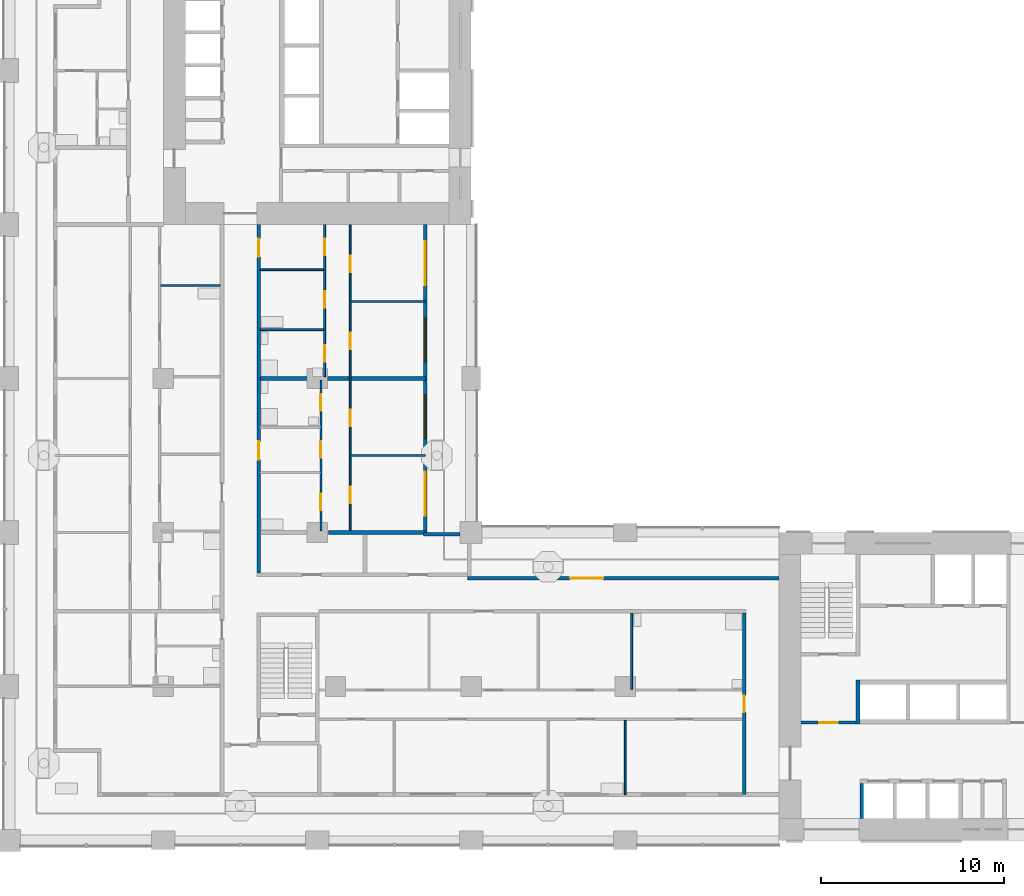
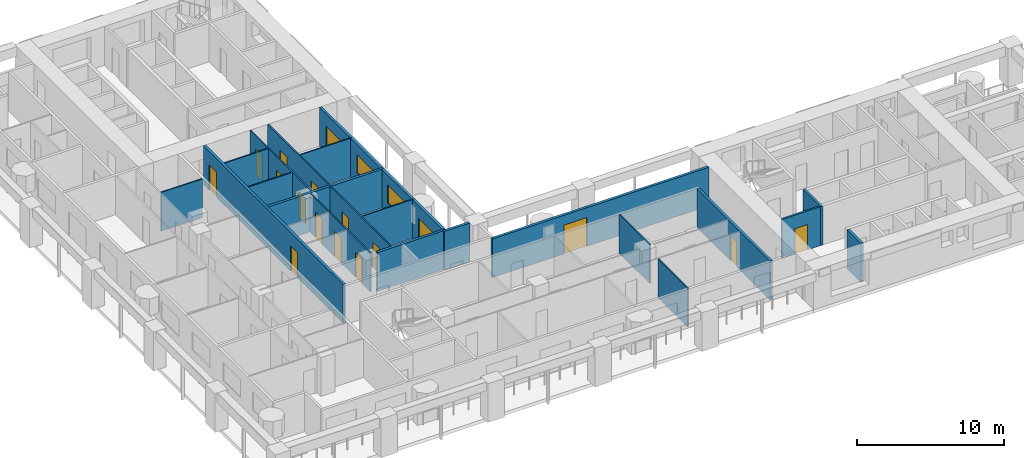
# One storey, part 4 of 18: 20 walls, 17 doors, 2 windows, 19 openings.
"""IFC4 building model written with IfcOpenShell, lengths in metres."""

from ifc_helpers import new_model, si_unit, direction, frame, frame_2d, origin, place, context, subcontext, project, spatial, rectangle, extrude, material, layer, layer_set, type_object, element, fill, save


model = new_model("IFC4")

# Units and contexts
model_context = context("Model", 3, precision=1e-05, world=origin(), true_north=direction((0.0, 1.0)))
body_context = subcontext(model_context, "Body", "Model", "MODEL_VIEW")
ifc_project = project(units=[si_unit("LENGTHUNIT", "METRE"), si_unit("AREAUNIT", "SQUARE_METRE"), si_unit("VOLUMEUNIT", "CUBIC_METRE"), si_unit("PLANEANGLEUNIT", "RADIAN"), si_unit("MASSUNIT", "GRAM", prefix="KILO")], contexts=[model_context])

# Site, building, storey
site_placement = place(None, origin())
site = spatial("IfcSite", under=ifc_project, at=site_placement, CompositionType="ELEMENT")
building_placement = place(site_placement, origin())
building = spatial("IfcBuilding", under=site, at=building_placement, Name="Vermilion Gate Residences", CompositionType="ELEMENT")
storey_placement = place(building_placement, frame((0.0, 0.0, 88.199951171875)))
storey = spatial("IfcBuildingStorey", under=building, at=storey_placement, Name="L21", CompositionType="ELEMENT", Elevation=88.199951171875)

# Wall, opening, door
ifc_material_1 = material(Name="Masonry blockwork", Category="masonry")
ifc_layer_1 = layer(ifc_material_1, 0.14990234375)
ifc_layer_set_1 = layer_set([ifc_layer_1], Name="BLOCKWORK PARTITION 150 EI 120")
wall_type_1 = type_object("IfcWallType", Name="BLOCKWORK PARTITION 150 EI 120", PredefinedType="PARTITIONING", material=ifc_layer_set_1)
wall_1_placement = place(storey_placement, frame((43.199951171875, 14.824951171875, 0.0), z_axis=(0.0, 0.0, 1.0), x_axis=(1.0, 0.0, 0.0)))
wall_1 = element("IfcWall", 1, at=wall_1_placement, inside=storey, type_object=wall_type_1, Name="Core room partition A21-VW-S", PredefinedType="PARTITIONING", context=body_context, shape_type="SweptSolid", body=[
    extrude(rectangle(XDim=3.0, YDim=0.14990234375, at=frame_2d((1.5, 0.0))), origin(), (0.0, 0.0, 1.0), 3.219970703125),
])
opening_1_placement = place(wall_1_placement, frame((1.0, 0.0, 0.0)))
opening_1 = element("IfcOpeningElement", 2, at=opening_1_placement, cuts=wall_1, Name="Opening DK21011", PredefinedType="OPENING", context=body_context, shape_type="SweptSolid", body=[
    extrude(rectangle(XDim=1.0, YDim=2.10009765625, at=frame_2d((0.5, 1.050048828125))), frame((0.0, 0.0849609375, 0.0), z_axis=(0.0, -1.0, 0.0), x_axis=(1.0, 0.0, 0.0)), (0.0, 0.0, 1.0), 0.169921875),
])
ifc_material_2 = material(Name="Steel", Category="steel")
door_type_1 = type_object("IfcDoorType", Name="FIRE DOOR FD60 1000 X 2100", OperationType="SINGLE_SWING_LEFT", PredefinedType="DOOR", material=ifc_material_2)
door_1_placement = place(opening_1_placement, frame((1.0, 0.0, 0.0), z_axis=(0.0, 0.0, 1.0), x_axis=(-1.0, 0.0, 0.0)))
door_1 = element("IfcDoor", 3, at=door_1_placement, inside=storey, type_object=door_type_1, Name="Stair vestibule door A21", OperationType="SINGLE_SWING_RIGHT", OverallHeight=2.10009765625, OverallWidth=1.0, PredefinedType="DOOR", context=body_context, shape_type="SweptSolid", body=[
    extrude(rectangle(XDim=1.0, YDim=2.10009765625, at=frame_2d((0.5, 1.050048828125))), frame((0.0, 0.02490234375, 0.0), z_axis=(0.0, -1.0, 0.0), x_axis=(1.0, 0.0, 0.0)), (0.0, 0.0, 1.0), 0.050048828125),
])
fill(opening_1, door_1)

ifc_material_3 = material(Name="Insulated steel stud wall with terracotta rainscreen", Category="masonry")
ifc_layer_2 = layer(ifc_material_3, 0.199951171875)
ifc_layer_set_2 = layer_set([ifc_layer_2], Name="EXTERNAL WALL 200 TERRACOTTA RAINSCREEN")
wall_type_2 = type_object("IfcWallType", Name="EXTERNAL WALL 200 TERRACOTTA RAINSCREEN", PredefinedType="SOLIDWALL", material=ifc_layer_set_2)
wall_2_placement = place(storey_placement, frame((42.0, 22.699951171875, 0.0), z_axis=(0.0, 0.0, 1.0), x_axis=(-1.0, 0.0, 0.0)))
wall_2 = element("IfcWall", 4, at=wall_2_placement, inside=storey, type_object=wall_type_2, Name="External wall", PredefinedType="SOLIDWALL", context=body_context, shape_type="SweptSolid", body=[
    extrude(rectangle(XDim=17.0, YDim=0.199951171875, at=frame_2d((8.5, 0.0))), origin(), (0.0, 0.0, 1.0), 3.219970703125),
])
opening_2_placement = place(wall_2_placement, frame((9.60009765625, 0.0, 0.0)))
opening_2 = element("IfcOpeningElement", 5, at=opening_2_placement, cuts=wall_2, Name="Opening DE21029", PredefinedType="OPENING", context=body_context, shape_type="SweptSolid", body=[
    extrude(rectangle(XDim=1.800048828125, YDim=2.39990234375, at=frame_2d((0.89990234375, 1.199951171875))), frame((0.0, 0.10986328125, 0.0), z_axis=(0.0, -1.0, 0.0), x_axis=(1.0, 0.0, 0.0)), (0.0, 0.0, 1.0), 0.219970703125),
])
ifc_material_4 = material(Name="Aluminium and clear glass", Category="aluminium")
door_type_2 = type_object("IfcDoorType", Name="GLAZED EXTERNAL DOOR 1800 X 2400", OperationType="DOUBLE_DOOR_SINGLE_SWING", PredefinedType="DOOR", material=ifc_material_4)
door_2_placement = place(opening_2_placement, frame((1.800048828125, 0.0, 0.0), z_axis=(0.0, 0.0, 1.0), x_axis=(-1.0, 0.0, 0.0)))
door_2 = element("IfcDoor", 6, at=door_2_placement, inside=storey, type_object=door_type_2, Name="Gallery door", OperationType="DOUBLE_DOOR_SINGLE_SWING", OverallHeight=2.39990234375, OverallWidth=1.800048828125, PredefinedType="DOOR", context=body_context, shape_type="SweptSolid", body=[
    extrude(rectangle(XDim=1.800048828125, YDim=2.39990234375, at=frame_2d((0.89990234375, 1.199951171875))), frame((0.0, 0.02490234375, 0.0), z_axis=(0.0, -1.0, 0.0), x_axis=(1.0, 0.0, 0.0)), (0.0, 0.0, 1.0), 0.050048828125),
])
fill(opening_2, door_2)

# Wall
wall_3_placement = place(storey_placement, frame((24.60009765625, 25.10009765625, 0.0), z_axis=(0.0, 0.0, 1.0), x_axis=(-1.0, 0.0, 0.0)))
element("IfcWall", 7, at=wall_3_placement, inside=storey, type_object=wall_type_2, Name="External wall", PredefinedType="SOLIDWALL", context=body_context, shape_type="SweptSolid", body=[
    extrude(rectangle(XDim=2.0, YDim=0.199951171875, at=frame_2d((1.0, 0.0))), origin(), (0.0, 0.0, 1.0), 3.219970703125),
])

# Wall, openings, doors, windows
wall_4_placement = place(storey_placement, frame((22.699951171875, 25.199951171875, 0.0), z_axis=(0.0, 0.0, 1.0), x_axis=(0.0, 1.0, 0.0)))
wall_4 = element("IfcWall", 8, at=wall_4_placement, inside=storey, type_object=wall_type_2, Name="External wall", PredefinedType="SOLIDWALL", context=body_context, shape_type="SweptSolid", body=[
    extrude(rectangle(XDim=16.800048828125, YDim=0.199951171875, at=frame_2d((8.39990234375, 0.0))), origin(), (0.0, 0.0, 1.0), 3.219970703125),
])
opening_3_placement = place(wall_4_placement, frame((0.89990234375, 0.0, 0.0)))
opening_3 = element("IfcOpeningElement", 9, at=opening_3_placement, cuts=wall_4, Name="Opening DE21024", PredefinedType="OPENING", context=body_context, shape_type="SweptSolid", body=[
    extrude(rectangle(XDim=2.39990234375, YDim=2.199951171875, at=frame_2d((1.199951171875, 1.10009765625))), frame((0.0, 0.10986328125, 0.0), z_axis=(0.0, -1.0, 0.0), x_axis=(1.0, 0.0, 0.0)), (0.0, 0.0, 1.0), 0.219970703125),
])
opening_4_placement = place(wall_4_placement, frame((5.10009765625, 0.0, 0.89990234375)))
opening_4 = element("IfcOpeningElement", 10, at=opening_4_placement, cuts=wall_4, Name="Opening WE21025", PredefinedType="OPENING", context=body_context, shape_type="SweptSolid", body=[
    extrude(rectangle(XDim=2.39990234375, YDim=1.5, at=frame_2d((1.199951171875, 0.75))), frame((0.0, 0.10986328125, 0.0), z_axis=(0.0, -1.0, 0.0), x_axis=(1.0, 0.0, 0.0)), (0.0, 0.0, 1.0), 0.219970703125),
])
opening_5_placement = place(wall_4_placement, frame((9.300048828125, 0.0, 0.89990234375)))
opening_5 = element("IfcOpeningElement", 11, at=opening_5_placement, cuts=wall_4, Name="Opening WE21026", PredefinedType="OPENING", context=body_context, shape_type="SweptSolid", body=[
    extrude(rectangle(XDim=2.39990234375, YDim=1.5, at=frame_2d((1.199951171875, 0.75))), frame((0.0, 0.10986328125, 0.0), z_axis=(0.0, -1.0, 0.0), x_axis=(1.0, 0.0, 0.0)), (0.0, 0.0, 1.0), 0.219970703125),
])
opening_6_placement = place(wall_4_placement, frame((13.5, 0.0, 0.0)))
opening_6 = element("IfcOpeningElement", 12, at=opening_6_placement, cuts=wall_4, Name="Opening DE21027", PredefinedType="OPENING", context=body_context, shape_type="SweptSolid", body=[
    extrude(rectangle(XDim=2.39990234375, YDim=2.199951171875, at=frame_2d((1.199951171875, 1.10009765625))), frame((0.0, 0.10986328125, 0.0), z_axis=(0.0, -1.0, 0.0), x_axis=(1.0, 0.0, 0.0)), (0.0, 0.0, 1.0), 0.219970703125),
])
ifc_material_5 = material(Name="Aluminium and clear glass", Category="aluminium")
door_type_3 = type_object("IfcDoorType", Name="SLIDING GLAZED DOOR 2400 X 2200", OperationType="DOUBLE_DOOR_SLIDING", PredefinedType="DOOR", material=ifc_material_5)
door_3_placement = place(opening_3_placement, origin())
door_3 = element("IfcDoor", 13, at=door_3_placement, inside=storey, type_object=door_type_3, Name="Loggia sliding door", OperationType="DOUBLE_DOOR_SLIDING", OverallHeight=2.199951171875, OverallWidth=2.39990234375, PredefinedType="DOOR", context=body_context, shape_type="SweptSolid", body=[
    extrude(rectangle(XDim=2.39990234375, YDim=2.199951171875, at=frame_2d((1.199951171875, 1.10009765625))), frame((0.0, 0.02490234375, 0.0), z_axis=(0.0, -1.0, 0.0), x_axis=(1.0, 0.0, 0.0)), (0.0, 0.0, 1.0), 0.050048828125),
])
fill(opening_3, door_3)
door_4_placement = place(opening_6_placement, origin())
door_4 = element("IfcDoor", 14, at=door_4_placement, inside=storey, type_object=door_type_3, Name="Loggia sliding door", OperationType="DOUBLE_DOOR_SLIDING", OverallHeight=2.199951171875, OverallWidth=2.39990234375, PredefinedType="DOOR", context=body_context, shape_type="SweptSolid", body=[
    extrude(rectangle(XDim=2.39990234375, YDim=2.199951171875, at=frame_2d((1.199951171875, 1.10009765625))), frame((0.0, 0.02490234375, 0.0), z_axis=(0.0, -1.0, 0.0), x_axis=(1.0, 0.0, 0.0)), (0.0, 0.0, 1.0), 0.050048828125),
])
fill(opening_6, door_4)
ifc_material_6 = material(Name="Aluminium and clear glass", Category="aluminium")
window_type = type_object("IfcWindowType", Name="WINDOW 2400 X 1500", PartitioningType="SINGLE_PANEL", PredefinedType="WINDOW", material=ifc_material_6)
window_1_placement = place(opening_4_placement, origin())
window_1 = element("IfcWindow", 15, at=window_1_placement, inside=storey, type_object=window_type, Name="Window", OverallHeight=1.5, OverallWidth=2.39990234375, PartitioningType="SINGLE_PANEL", PredefinedType="WINDOW", context=body_context, shape_type="SweptSolid", body=[
    extrude(rectangle(XDim=2.39990234375, YDim=1.5, at=frame_2d((1.199951171875, 0.75))), frame((0.0, 0.030029296875, 0.0), z_axis=(0.0, -1.0, 0.0), x_axis=(1.0, 0.0, 0.0)), (0.0, 0.0, 1.0), 0.06005859375),
])
fill(opening_4, window_1)
window_2_placement = place(opening_5_placement, origin())
window_2 = element("IfcWindow", 16, at=window_2_placement, inside=storey, type_object=window_type, Name="Window", OverallHeight=1.5, OverallWidth=2.39990234375, PartitioningType="SINGLE_PANEL", PredefinedType="WINDOW", context=body_context, shape_type="SweptSolid", body=[
    extrude(rectangle(XDim=2.39990234375, YDim=1.5, at=frame_2d((1.199951171875, 0.75))), frame((0.0, 0.030029296875, 0.0), z_axis=(0.0, -1.0, 0.0), x_axis=(1.0, 0.0, 0.0)), (0.0, 0.0, 1.0), 0.06005859375),
])
fill(opening_5, window_2)

# Walls
ifc_material_7 = material(Name="Plasterboard on steel studs", Category="steel")
ifc_layer_3 = layer(ifc_material_7, 0.10009765625)
ifc_layer_set_3 = layer_set([ifc_layer_3], Name="PARTITION 100")
wall_type_3 = type_object("IfcWallType", Name="PARTITION 100", PredefinedType="PARTITIONING", material=ifc_layer_set_3)
wall_5_placement = place(storey_placement, frame((18.64990234375, 29.39990234375, 0.0), z_axis=(0.0, 0.0, 1.0), x_axis=(1.0, 0.0, 0.0)))
element("IfcWall", 17, at=wall_5_placement, inside=storey, type_object=wall_type_3, Name="Partition", PredefinedType="PARTITIONING", context=body_context, shape_type="SweptSolid", body=[
    extrude(rectangle(XDim=4.050048828125, YDim=0.10009765625, at=frame_2d((2.02490234375, 0.0))), origin(), (0.0, 0.0, 1.0), 3.219970703125),
])
wall_6_placement = place(storey_placement, frame((13.699951171875, 36.26708984375, 0.0), z_axis=(0.0, 0.0, 1.0), x_axis=(1.0, 0.0, 0.0)))
element("IfcWall", 18, at=wall_6_placement, inside=storey, type_object=wall_type_3, Name="Partition", PredefinedType="PARTITIONING", context=body_context, shape_type="SweptSolid", body=[
    extrude(rectangle(XDim=3.449951171875, YDim=0.10009765625, at=frame_2d((1.72509765625, 0.0))), origin(), (0.0, 0.0, 1.0), 3.219970703125),
])
wall_7_placement = place(storey_placement, frame((18.64990234375, 37.800048828125, 0.0), z_axis=(0.0, 0.0, 1.0), x_axis=(1.0, 0.0, 0.0)))
element("IfcWall", 19, at=wall_7_placement, inside=storey, type_object=wall_type_3, Name="Partition", PredefinedType="PARTITIONING", context=body_context, shape_type="SweptSolid", body=[
    extrude(rectangle(XDim=4.050048828125, YDim=0.10009765625, at=frame_2d((2.02490234375, 0.0))), origin(), (0.0, 0.0, 1.0), 3.219970703125),
])
wall_8_placement = place(storey_placement, frame((8.25, 38.669921875, 0.0), z_axis=(0.0, 0.0, 1.0), x_axis=(1.0, 0.0, 0.0)))
element("IfcWall", 20, at=wall_8_placement, inside=storey, type_object=wall_type_3, Name="Partition", PredefinedType="PARTITIONING", context=body_context, shape_type="SweptSolid", body=[
    extrude(rectangle(XDim=3.25, YDim=0.10009765625, at=frame_2d((1.625, 0.0))), origin(), (0.0, 0.0, 1.0), 3.219970703125),
])
wall_9_placement = place(storey_placement, frame((13.699951171875, 39.532958984375, 0.0), z_axis=(0.0, 0.0, 1.0), x_axis=(1.0, 0.0, 0.0)))
element("IfcWall", 21, at=wall_9_placement, inside=storey, type_object=wall_type_3, Name="Partition", PredefinedType="PARTITIONING", context=body_context, shape_type="SweptSolid", body=[
    extrude(rectangle(XDim=3.449951171875, YDim=0.10009765625, at=frame_2d((1.72509765625, 0.0))), origin(), (0.0, 0.0, 1.0), 3.219970703125),
])

# Wall, openings, doors
wall_10_placement = place(storey_placement, frame((17.0, 25.300048828125, 0.0), z_axis=(0.0, 0.0, 1.0), x_axis=(0.0, 1.0, 0.0)))
wall_10 = element("IfcWall", 22, at=wall_10_placement, inside=storey, type_object=wall_type_3, Name="Partition", PredefinedType="PARTITIONING", context=body_context, shape_type="SweptSolid", body=[
    extrude(rectangle(XDim=8.199951171875, YDim=0.10009765625, at=frame_2d((4.10009765625, 0.0))), origin(), (0.0, 0.0, 1.0), 3.219970703125),
])
opening_7_placement = place(wall_10_placement, frame((3.967041015625, 0.0, 0.0)))
opening_7 = element("IfcOpeningElement", 23, at=opening_7_placement, cuts=wall_10, Name="Opening DA19035", PredefinedType="OPENING", context=body_context, shape_type="SweptSolid", body=[
    extrude(rectangle(XDim=0.89990234375, YDim=2.10009765625, at=frame_2d((0.449951171875, 1.050048828125))), frame((0.0, 0.06005859375, 0.0), z_axis=(0.0, -1.0, 0.0), x_axis=(1.0, 0.0, 0.0)), (0.0, 0.0, 1.0), 0.1201171875),
])
opening_8_placement = place(wall_10_placement, frame((1.10009765625, 0.0, 0.0)))
opening_8 = element("IfcOpeningElement", 24, at=opening_8_placement, cuts=wall_10, Name="Opening DA19036", PredefinedType="OPENING", context=body_context, shape_type="SweptSolid", body=[
    extrude(rectangle(XDim=0.89990234375, YDim=2.10009765625, at=frame_2d((0.449951171875, 1.050048828125))), frame((0.0, 0.06005859375, 0.0), z_axis=(0.0, -1.0, 0.0), x_axis=(1.0, 0.0, 0.0)), (0.0, 0.0, 1.0), 0.1201171875),
])
opening_9_placement = place(wall_10_placement, frame((6.532958984375, 0.0, 0.0)))
opening_9 = element("IfcOpeningElement", 25, at=opening_9_placement, cuts=wall_10, Name="Opening DA19037", PredefinedType="OPENING", context=body_context, shape_type="SweptSolid", body=[
    extrude(rectangle(XDim=0.89990234375, YDim=2.10009765625, at=frame_2d((0.449951171875, 1.050048828125))), frame((0.0, 0.06005859375, 0.0), z_axis=(0.0, -1.0, 0.0), x_axis=(1.0, 0.0, 0.0)), (0.0, 0.0, 1.0), 0.1201171875),
])
ifc_material_8 = material(Name="Timber", Category="wood")
door_type_4 = type_object("IfcDoorType", Name="INTERIOR DOOR 900 X 2100", OperationType="SINGLE_SWING_LEFT", PredefinedType="DOOR", material=ifc_material_8)
door_5_placement = place(opening_7_placement, origin())
door_5 = element("IfcDoor", 26, at=door_5_placement, inside=storey, type_object=door_type_4, Name="Interior door", OperationType="SINGLE_SWING_RIGHT", OverallHeight=2.10009765625, OverallWidth=0.89990234375, PredefinedType="DOOR", context=body_context, shape_type="SweptSolid", body=[
    extrude(rectangle(XDim=0.89990234375, YDim=2.10009765625, at=frame_2d((0.449951171875, 1.050048828125))), frame((0.0, 0.02490234375, 0.0), z_axis=(0.0, -1.0, 0.0), x_axis=(1.0, 0.0, 0.0)), (0.0, 0.0, 1.0), 0.050048828125),
])
fill(opening_7, door_5)
door_6_placement = place(opening_8_placement, origin())
door_6 = element("IfcDoor", 27, at=door_6_placement, inside=storey, type_object=door_type_4, Name="Interior door", OperationType="SINGLE_SWING_LEFT", OverallHeight=2.10009765625, OverallWidth=0.89990234375, PredefinedType="DOOR", context=body_context, shape_type="SweptSolid", body=[
    extrude(rectangle(XDim=0.89990234375, YDim=2.10009765625, at=frame_2d((0.449951171875, 1.050048828125))), frame((0.0, 0.02490234375, 0.0), z_axis=(0.0, -1.0, 0.0), x_axis=(1.0, 0.0, 0.0)), (0.0, 0.0, 1.0), 0.050048828125),
])
fill(opening_8, door_6)
door_7_placement = place(opening_9_placement, origin())
door_7 = element("IfcDoor", 28, at=door_7_placement, inside=storey, type_object=door_type_4, Name="Interior door", OperationType="SINGLE_SWING_RIGHT", OverallHeight=2.10009765625, OverallWidth=0.89990234375, PredefinedType="DOOR", context=body_context, shape_type="SweptSolid", body=[
    extrude(rectangle(XDim=0.89990234375, YDim=2.10009765625, at=frame_2d((0.449951171875, 1.050048828125))), frame((0.0, 0.02490234375, 0.0), z_axis=(0.0, -1.0, 0.0), x_axis=(1.0, 0.0, 0.0)), (0.0, 0.0, 1.0), 0.050048828125),
])
fill(opening_9, door_7)

wall_11_placement = place(storey_placement, frame((17.199951171875, 33.699951171875, 0.0), z_axis=(0.0, 0.0, 1.0), x_axis=(0.0, 1.0, 0.0)))
wall_11 = element("IfcWall", 29, at=wall_11_placement, inside=storey, type_object=wall_type_3, Name="Partition", PredefinedType="PARTITIONING", context=body_context, shape_type="SweptSolid", body=[
    extrude(rectangle(XDim=8.300048828125, YDim=0.10009765625, at=frame_2d((4.14990234375, 0.0))), origin(), (0.0, 0.0, 1.0), 3.219970703125),
])
opening_10_placement = place(wall_11_placement, frame((6.633056640625, 0.0, 0.0)))
opening_10 = element("IfcOpeningElement", 30, at=opening_10_placement, cuts=wall_11, Name="Opening DA19038", PredefinedType="OPENING", context=body_context, shape_type="SweptSolid", body=[
    extrude(rectangle(XDim=0.89990234375, YDim=2.10009765625, at=frame_2d((0.449951171875, 1.050048828125))), frame((0.0, 0.06005859375, 0.0), z_axis=(0.0, -1.0, 0.0), x_axis=(1.0, 0.0, 0.0)), (0.0, 0.0, 1.0), 0.1201171875),
])
opening_11_placement = place(wall_11_placement, frame((0.800048828125, 0.0, 0.0)))
opening_11 = element("IfcOpeningElement", 31, at=opening_11_placement, cuts=wall_11, Name="Opening DA19039", PredefinedType="OPENING", context=body_context, shape_type="SweptSolid", body=[
    extrude(rectangle(XDim=0.89990234375, YDim=2.10009765625, at=frame_2d((0.449951171875, 1.050048828125))), frame((0.0, 0.06005859375, 0.0), z_axis=(0.0, -1.0, 0.0), x_axis=(1.0, 0.0, 0.0)), (0.0, 0.0, 1.0), 0.1201171875),
])
opening_12_placement = place(wall_11_placement, frame((3.76708984375, 0.0, 0.0)))
opening_12 = element("IfcOpeningElement", 32, at=opening_12_placement, cuts=wall_11, Name="Opening DA19040", PredefinedType="OPENING", context=body_context, shape_type="SweptSolid", body=[
    extrude(rectangle(XDim=0.89990234375, YDim=2.10009765625, at=frame_2d((0.449951171875, 1.050048828125))), frame((0.0, 0.06005859375, 0.0), z_axis=(0.0, -1.0, 0.0), x_axis=(1.0, 0.0, 0.0)), (0.0, 0.0, 1.0), 0.1201171875),
])
door_8_placement = place(opening_10_placement, origin())
door_8 = element("IfcDoor", 33, at=door_8_placement, inside=storey, type_object=door_type_4, Name="Interior door", OperationType="SINGLE_SWING_LEFT", OverallHeight=2.10009765625, OverallWidth=0.89990234375, PredefinedType="DOOR", context=body_context, shape_type="SweptSolid", body=[
    extrude(rectangle(XDim=0.89990234375, YDim=2.10009765625, at=frame_2d((0.449951171875, 1.050048828125))), frame((0.0, 0.02490234375, 0.0), z_axis=(0.0, -1.0, 0.0), x_axis=(1.0, 0.0, 0.0)), (0.0, 0.0, 1.0), 0.050048828125),
])
fill(opening_10, door_8)
door_9_placement = place(opening_11_placement, origin())
door_9 = element("IfcDoor", 34, at=door_9_placement, inside=storey, type_object=door_type_4, Name="Interior door", OperationType="SINGLE_SWING_LEFT", OverallHeight=2.10009765625, OverallWidth=0.89990234375, PredefinedType="DOOR", context=body_context, shape_type="SweptSolid", body=[
    extrude(rectangle(XDim=0.89990234375, YDim=2.10009765625, at=frame_2d((0.449951171875, 1.050048828125))), frame((0.0, 0.02490234375, 0.0), z_axis=(0.0, -1.0, 0.0), x_axis=(1.0, 0.0, 0.0)), (0.0, 0.0, 1.0), 0.050048828125),
])
fill(opening_11, door_9)
door_10_placement = place(opening_12_placement, origin())
door_10 = element("IfcDoor", 35, at=door_10_placement, inside=storey, type_object=door_type_4, Name="Interior door", OperationType="SINGLE_SWING_RIGHT", OverallHeight=2.10009765625, OverallWidth=0.89990234375, PredefinedType="DOOR", context=body_context, shape_type="SweptSolid", body=[
    extrude(rectangle(XDim=0.89990234375, YDim=2.10009765625, at=frame_2d((0.449951171875, 1.050048828125))), frame((0.0, 0.02490234375, 0.0), z_axis=(0.0, -1.0, 0.0), x_axis=(1.0, 0.0, 0.0)), (0.0, 0.0, 1.0), 0.050048828125),
])
fill(opening_12, door_10)

wall_12_placement = place(storey_placement, frame((18.60009765625, 25.300048828125, 0.0), z_axis=(0.0, 0.0, 1.0), x_axis=(0.0, 1.0, 0.0)))
wall_12 = element("IfcWall", 36, at=wall_12_placement, inside=storey, type_object=wall_type_3, Name="Partition", PredefinedType="PARTITIONING", context=body_context, shape_type="SweptSolid", body=[
    extrude(rectangle(XDim=16.699951171875, YDim=0.10009765625, at=frame_2d((8.35009765625, 0.0))), origin(), (0.0, 0.0, 1.0), 3.219970703125),
])
opening_13_placement = place(wall_12_placement, frame((1.5, 0.0, 0.0)))
opening_13 = element("IfcOpeningElement", 37, at=opening_13_placement, cuts=wall_12, Name="Opening DA19041", PredefinedType="OPENING", context=body_context, shape_type="SweptSolid", body=[
    extrude(rectangle(XDim=0.89990234375, YDim=2.10009765625, at=frame_2d((0.449951171875, 1.050048828125))), frame((0.0, 0.06005859375, 0.0), z_axis=(0.0, -1.0, 0.0), x_axis=(1.0, 0.0, 0.0)), (0.0, 0.0, 1.0), 0.1201171875),
])
opening_14_placement = place(wall_12_placement, frame((5.699951171875, 0.0, 0.0)))
opening_14 = element("IfcOpeningElement", 38, at=opening_14_placement, cuts=wall_12, Name="Opening DA19042", PredefinedType="OPENING", context=body_context, shape_type="SweptSolid", body=[
    extrude(rectangle(XDim=0.89990234375, YDim=2.10009765625, at=frame_2d((0.449951171875, 1.050048828125))), frame((0.0, 0.06005859375, 0.0), z_axis=(0.0, -1.0, 0.0), x_axis=(1.0, 0.0, 0.0)), (0.0, 0.0, 1.0), 0.1201171875),
])
opening_15_placement = place(wall_12_placement, frame((9.89990234375, 0.0, 0.0)))
opening_15 = element("IfcOpeningElement", 39, at=opening_15_placement, cuts=wall_12, Name="Opening DA19043", PredefinedType="OPENING", context=body_context, shape_type="SweptSolid", body=[
    extrude(rectangle(XDim=0.89990234375, YDim=2.10009765625, at=frame_2d((0.449951171875, 1.050048828125))), frame((0.0, 0.06005859375, 0.0), z_axis=(0.0, -1.0, 0.0), x_axis=(1.0, 0.0, 0.0)), (0.0, 0.0, 1.0), 0.1201171875),
])
opening_16_placement = place(wall_12_placement, frame((14.10009765625, 0.0, 0.0)))
opening_16 = element("IfcOpeningElement", 40, at=opening_16_placement, cuts=wall_12, Name="Opening DA19044", PredefinedType="OPENING", context=body_context, shape_type="SweptSolid", body=[
    extrude(rectangle(XDim=0.89990234375, YDim=2.10009765625, at=frame_2d((0.449951171875, 1.050048828125))), frame((0.0, 0.06005859375, 0.0), z_axis=(0.0, -1.0, 0.0), x_axis=(1.0, 0.0, 0.0)), (0.0, 0.0, 1.0), 0.1201171875),
])
door_11_placement = place(opening_13_placement, frame((0.89990234375, 0.0, 0.0), z_axis=(0.0, 0.0, 1.0), x_axis=(-1.0, 0.0, 0.0)))
door_11 = element("IfcDoor", 41, at=door_11_placement, inside=storey, type_object=door_type_4, Name="Interior door", OperationType="SINGLE_SWING_RIGHT", OverallHeight=2.10009765625, OverallWidth=0.89990234375, PredefinedType="DOOR", context=body_context, shape_type="SweptSolid", body=[
    extrude(rectangle(XDim=0.89990234375, YDim=2.10009765625, at=frame_2d((0.449951171875, 1.050048828125))), frame((0.0, 0.02490234375, 0.0), z_axis=(0.0, -1.0, 0.0), x_axis=(1.0, 0.0, 0.0)), (0.0, 0.0, 1.0), 0.050048828125),
])
fill(opening_13, door_11)
door_12_placement = place(opening_14_placement, frame((0.89990234375, 0.0, 0.0), z_axis=(0.0, 0.0, 1.0), x_axis=(-1.0, 0.0, 0.0)))
door_12 = element("IfcDoor", 42, at=door_12_placement, inside=storey, type_object=door_type_4, Name="Interior door", OperationType="SINGLE_SWING_RIGHT", OverallHeight=2.10009765625, OverallWidth=0.89990234375, PredefinedType="DOOR", context=body_context, shape_type="SweptSolid", body=[
    extrude(rectangle(XDim=0.89990234375, YDim=2.10009765625, at=frame_2d((0.449951171875, 1.050048828125))), frame((0.0, 0.02490234375, 0.0), z_axis=(0.0, -1.0, 0.0), x_axis=(1.0, 0.0, 0.0)), (0.0, 0.0, 1.0), 0.050048828125),
])
fill(opening_14, door_12)
door_13_placement = place(opening_15_placement, frame((0.89990234375, 0.0, 0.0), z_axis=(0.0, 0.0, 1.0), x_axis=(-1.0, 0.0, 0.0)))
door_13 = element("IfcDoor", 43, at=door_13_placement, inside=storey, type_object=door_type_4, Name="Interior door", OperationType="SINGLE_SWING_RIGHT", OverallHeight=2.10009765625, OverallWidth=0.89990234375, PredefinedType="DOOR", context=body_context, shape_type="SweptSolid", body=[
    extrude(rectangle(XDim=0.89990234375, YDim=2.10009765625, at=frame_2d((0.449951171875, 1.050048828125))), frame((0.0, 0.02490234375, 0.0), z_axis=(0.0, -1.0, 0.0), x_axis=(1.0, 0.0, 0.0)), (0.0, 0.0, 1.0), 0.050048828125),
])
fill(opening_15, door_13)
door_14_placement = place(opening_16_placement, frame((0.89990234375, 0.0, 0.0), z_axis=(0.0, 0.0, 1.0), x_axis=(-1.0, 0.0, 0.0)))
door_14 = element("IfcDoor", 44, at=door_14_placement, inside=storey, type_object=door_type_4, Name="Interior door", OperationType="SINGLE_SWING_RIGHT", OverallHeight=2.10009765625, OverallWidth=0.89990234375, PredefinedType="DOOR", context=body_context, shape_type="SweptSolid", body=[
    extrude(rectangle(XDim=0.89990234375, YDim=2.10009765625, at=frame_2d((0.449951171875, 1.050048828125))), frame((0.0, 0.02490234375, 0.0), z_axis=(0.0, -1.0, 0.0), x_axis=(1.0, 0.0, 0.0)), (0.0, 0.0, 1.0), 0.050048828125),
])
fill(opening_16, door_14)

# Walls
wall_13_placement = place(storey_placement, frame((33.60009765625, 10.89990234375, 0.0), z_axis=(0.0, 0.0, 1.0), x_axis=(0.0, 1.0, 0.0)))
element("IfcWall", 45, at=wall_13_placement, inside=storey, type_object=wall_type_3, Name="Partition", PredefinedType="PARTITIONING", context=body_context, shape_type="SweptSolid", body=[
    extrude(rectangle(XDim=4.050048828125, YDim=0.10009765625, at=frame_2d((2.02490234375, 0.0))), origin(), (0.0, 0.0, 1.0), 3.219970703125),
])
wall_14_placement = place(storey_placement, frame((33.949951171875, 16.64990234375, 0.0), z_axis=(0.0, 0.0, 1.0), x_axis=(0.0, 1.0, 0.0)))
element("IfcWall", 46, at=wall_14_placement, inside=storey, type_object=wall_type_3, Name="Partition", PredefinedType="PARTITIONING", context=body_context, shape_type="SweptSolid", body=[
    extrude(rectangle(XDim=4.150146484375, YDim=0.10009765625, at=frame_2d((2.0751953125, 0.0))), origin(), (0.0, 0.0, 1.0), 3.219970703125),
])
ifc_material_9 = material(Name="Fire-rated plasterboard on steel studs", Category="steel")
ifc_layer_4 = layer(ifc_material_9, 0.199951171875)
ifc_layer_set_4 = layer_set([ifc_layer_4], Name="PARTY WALL 200 EI 120")
wall_type_4 = type_object("IfcWallType", Name="PARTY WALL 200 EI 120", PredefinedType="PARTITIONING", material=ifc_layer_set_4)
wall_15_placement = place(storey_placement, frame((17.39990234375, 25.199951171875, 0.0), z_axis=(0.0, 0.0, 1.0), x_axis=(1.0, 0.0, 0.0)))
element("IfcWall", 47, at=wall_15_placement, inside=storey, type_object=wall_type_4, Name="Party and corridor wall", PredefinedType="PARTITIONING", context=body_context, shape_type="SweptSolid", body=[
    extrude(rectangle(XDim=5.300048828125, YDim=0.199951171875, at=frame_2d((2.64990234375, 0.0))), origin(), (0.0, 0.0, 1.0), 3.219970703125),
])
wall_16_placement = place(storey_placement, frame((13.699951171875, 33.60009765625, 0.0), z_axis=(0.0, 0.0, 1.0), x_axis=(1.0, 0.0, 0.0)))
element("IfcWall", 48, at=wall_16_placement, inside=storey, type_object=wall_type_4, Name="Party and corridor wall", PredefinedType="PARTITIONING", context=body_context, shape_type="SweptSolid", body=[
    extrude(rectangle(XDim=9.0, YDim=0.199951171875, at=frame_2d((4.5, 0.0))), origin(), (0.0, 0.0, 1.0), 3.219970703125),
])

# Wall, openings, doors
wall_17_placement = place(storey_placement, frame((13.60009765625, 23.0, 0.0), z_axis=(0.0, 0.0, 1.0), x_axis=(0.0, 1.0, 0.0)))
wall_17 = element("IfcWall", 49, at=wall_17_placement, inside=storey, type_object=wall_type_4, Name="Party and corridor wall", PredefinedType="PARTITIONING", context=body_context, shape_type="SweptSolid", body=[
    extrude(rectangle(XDim=19.0, YDim=0.199951171875, at=frame_2d((9.5, 0.0))), origin(), (0.0, 0.0, 1.0), 3.219970703125),
])
opening_17_placement = place(wall_17_placement, frame((6.1669921875, 0.0, 0.0)))
opening_17 = element("IfcOpeningElement", 50, at=opening_17_placement, cuts=wall_17, Name="Opening DA19033", PredefinedType="OPENING", context=body_context, shape_type="SweptSolid", body=[
    extrude(rectangle(XDim=1.0, YDim=2.10009765625, at=frame_2d((0.5, 1.050048828125))), frame((0.0, 0.10986328125, 0.0), z_axis=(0.0, -1.0, 0.0), x_axis=(1.0, 0.0, 0.0)), (0.0, 0.0, 1.0), 0.219970703125),
])
opening_18_placement = place(wall_17_placement, frame((17.23291015625, 0.0, 0.0)))
opening_18 = element("IfcOpeningElement", 51, at=opening_18_placement, cuts=wall_17, Name="Opening DA19034", PredefinedType="OPENING", context=body_context, shape_type="SweptSolid", body=[
    extrude(rectangle(XDim=1.0, YDim=2.10009765625, at=frame_2d((0.5, 1.050048828125))), frame((0.0, 0.10986328125, 0.0), z_axis=(0.0, -1.0, 0.0), x_axis=(1.0, 0.0, 0.0)), (0.0, 0.0, 1.0), 0.219970703125),
])
ifc_material_10 = material(Name="Steel", Category="steel")
door_type_5 = type_object("IfcDoorType", Name="ENTRANCE DOOR 1000 X 2100 FD30", OperationType="SINGLE_SWING_LEFT", PredefinedType="DOOR", material=ifc_material_10)
door_15_placement = place(opening_17_placement, frame((1.0, 0.0, 0.0), z_axis=(0.0, 0.0, 1.0), x_axis=(-1.0, 0.0, 0.0)))
door_15 = element("IfcDoor", 52, at=door_15_placement, inside=storey, type_object=door_type_5, Name="Entrance door", OperationType="SINGLE_SWING_RIGHT", OverallHeight=2.10009765625, OverallWidth=1.0, PredefinedType="DOOR", context=body_context, shape_type="SweptSolid", body=[
    extrude(rectangle(XDim=1.0, YDim=2.10009765625, at=frame_2d((0.5, 1.050048828125))), frame((0.0, 0.02490234375, 0.0), z_axis=(0.0, -1.0, 0.0), x_axis=(1.0, 0.0, 0.0)), (0.0, 0.0, 1.0), 0.050048828125),
])
fill(opening_17, door_15)
door_16_placement = place(opening_18_placement, frame((1.0, 0.0, 0.0), z_axis=(0.0, 0.0, 1.0), x_axis=(-1.0, 0.0, 0.0)))
door_16 = element("IfcDoor", 53, at=door_16_placement, inside=storey, type_object=door_type_5, Name="Entrance door", OperationType="SINGLE_SWING_RIGHT", OverallHeight=2.10009765625, OverallWidth=1.0, PredefinedType="DOOR", context=body_context, shape_type="SweptSolid", body=[
    extrude(rectangle(XDim=1.0, YDim=2.10009765625, at=frame_2d((0.5, 1.050048828125))), frame((0.0, 0.02490234375, 0.0), z_axis=(0.0, -1.0, 0.0), x_axis=(1.0, 0.0, 0.0)), (0.0, 0.0, 1.0), 0.050048828125),
])
fill(opening_18, door_16)

# Wall, opening, door
wall_18_placement = place(storey_placement, frame((40.10009765625, 10.89990234375, 0.0), z_axis=(0.0, 0.0, 1.0), x_axis=(0.0, 1.0, 0.0)))
wall_18 = element("IfcWall", 54, at=wall_18_placement, inside=storey, type_object=wall_type_4, Name="Party and corridor wall", PredefinedType="PARTITIONING", context=body_context, shape_type="SweptSolid", body=[
    extrude(rectangle(XDim=9.900146484375, YDim=0.199951171875, at=frame_2d((4.9501953125, 0.0))), origin(), (0.0, 0.0, 1.0), 3.219970703125),
])
opening_19_placement = place(wall_18_placement, frame((4.5, 0.0, 0.0)))
opening_19 = element("IfcOpeningElement", 55, at=opening_19_placement, cuts=wall_18, Name="Opening DA19045", PredefinedType="OPENING", context=body_context, shape_type="SweptSolid", body=[
    extrude(rectangle(XDim=0.89990234375, YDim=2.10009765625, at=frame_2d((0.449951171875, 1.050048828125))), frame((0.0, 0.10986328125, 0.0), z_axis=(0.0, -1.0, 0.0), x_axis=(1.0, 0.0, 0.0)), (0.0, 0.0, 1.0), 0.219970703125),
])
door_17_placement = place(opening_19_placement, origin())
door_17 = element("IfcDoor", 56, at=door_17_placement, inside=storey, type_object=door_type_4, Name="Interior door", OperationType="SINGLE_SWING_RIGHT", OverallHeight=2.10009765625, OverallWidth=0.89990234375, PredefinedType="DOOR", context=body_context, shape_type="SweptSolid", body=[
    extrude(rectangle(XDim=0.89990234375, YDim=2.10009765625, at=frame_2d((0.449951171875, 1.050048828125))), frame((0.0, 0.02490234375, 0.0), z_axis=(0.0, -1.0, 0.0), x_axis=(1.0, 0.0, 0.0)), (0.0, 0.0, 1.0), 0.050048828125),
])
fill(opening_19, door_17)

# Walls
ifc_material_11 = material(Name="Concrete C60", Category="concrete")
ifc_layer_5 = layer(ifc_material_11, 0.199951171875)
ifc_layer_set_5 = layer_set([ifc_layer_5], Name="RC CORE INTERNAL WALL 200 C60")
wall_type_5 = type_object("IfcWallType", Name="RC CORE INTERNAL WALL 200 C60", PredefinedType="SHEAR", material=ifc_layer_set_5)
wall_19_placement = place(storey_placement, frame((46.5, 9.60009765625, 0.0), z_axis=(0.0, 0.0, 1.0), x_axis=(0.0, 1.0, 0.0)))
element("IfcWall", 57, at=wall_19_placement, inside=storey, type_object=wall_type_5, Name="Core internal wall A21-LR-D0", PredefinedType="SHEAR", context=body_context, shape_type="SweptSolid", body=[
    extrude(rectangle(XDim=1.89990234375, YDim=0.199951171875, at=frame_2d((0.949951171875, 0.0))), origin(), (0.0, 0.0, 1.0), 3.219970703125),
])
wall_20_placement = place(storey_placement, frame((46.300048828125, 14.75, 0.0), z_axis=(0.0, 0.0, 1.0), x_axis=(0.0, 1.0, 0.0)))
element("IfcWall", 58, at=wall_20_placement, inside=storey, type_object=wall_type_5, Name="Core internal wall A21-WDIV1", PredefinedType="SHEAR", context=body_context, shape_type="SweptSolid", body=[
    extrude(rectangle(XDim=2.39990234375, YDim=0.199951171875, at=frame_2d((1.199951171875, 0.0))), origin(), (0.0, 0.0, 1.0), 3.219970703125),
])

save(model, "model.ifc")
